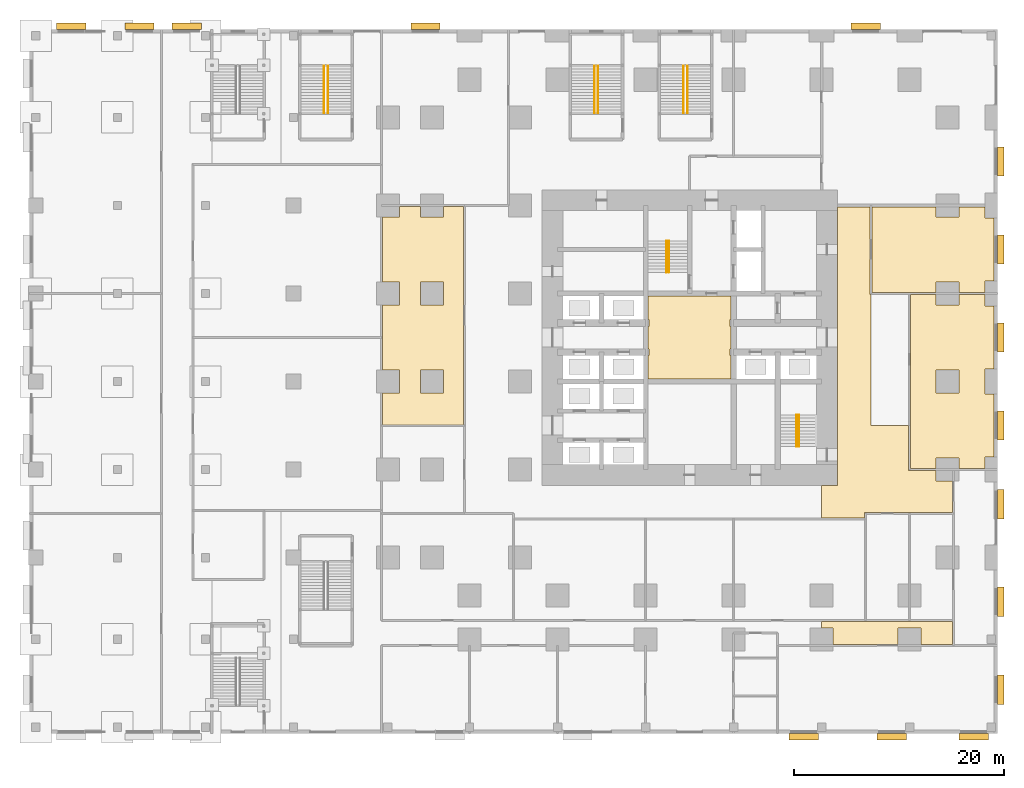
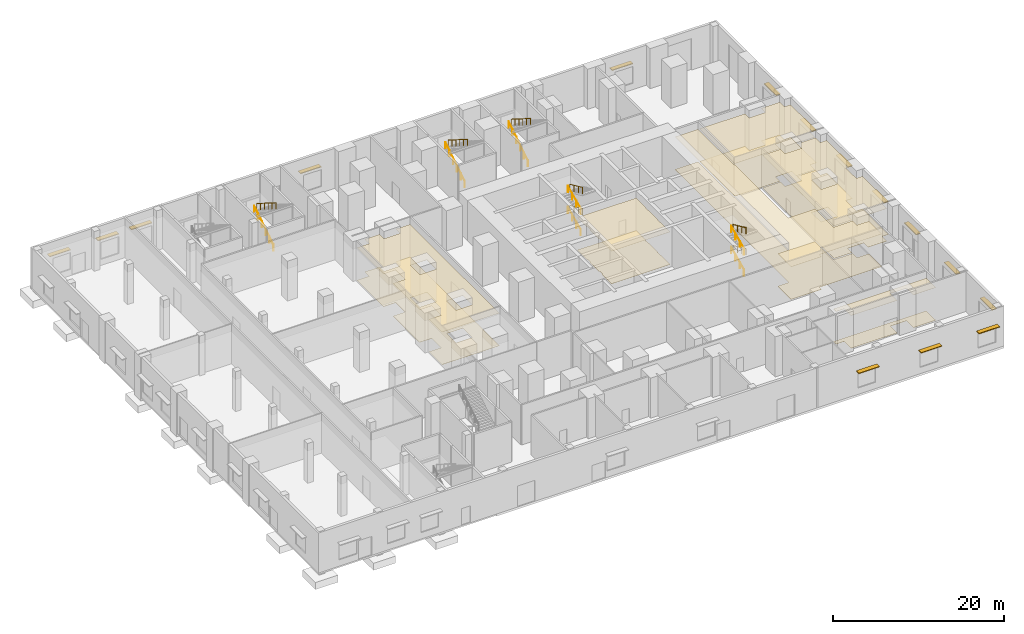
# One storey, part 25 of 26: 15 shading devices, 14 railings, 12 coverings.
"""IFC4 building model written with IfcOpenShell, lengths in metres."""

from ifc_helpers import new_model, si_unit, direction, frame, origin, origin_2d, place, context, subcontext, project, spatial, polyline, rectangle, circle, outline, extrude, material, layer, layer_set, type_object, element, save


model = new_model("IFC4")

# Units and contexts
model_context = context("Model", 3, precision=1e-05, world=origin(), true_north=direction((0.0, 1.0)))
body_context = subcontext(model_context, "Body", "Model", "MODEL_VIEW")
ifc_project = project(units=[si_unit("LENGTHUNIT", "METRE"), si_unit("AREAUNIT", "SQUARE_METRE"), si_unit("VOLUMEUNIT", "CUBIC_METRE"), si_unit("PLANEANGLEUNIT", "RADIAN"), si_unit("MASSUNIT", "GRAM", prefix="KILO")], contexts=[model_context])

# Site, building, storey
site_placement = place(None, origin())
site = spatial("IfcSite", under=ifc_project, at=site_placement, CompositionType="ELEMENT")
building_placement = place(site_placement, origin())
building = spatial("IfcBuilding", under=site, at=building_placement, Name="Dunama Terrace Hotel", CompositionType="ELEMENT")
storey_placement = place(building_placement, origin())
storey = spatial("IfcBuildingStorey", under=building, at=storey_placement, Name="L00", CompositionType="ELEMENT", Elevation=0.0)

# Railings
ifc_material_1 = material(Name="Stainless steel handrail", Category="steel")
railing_type = type_object("IfcRailingType", Name="Stair handrail 900", PredefinedType="HANDRAIL", material=ifc_material_1)
railing_1_placement = place(storey_placement, frame((27.175048828125, 35.625, 0.136474609375)))
element("IfcRailing", 1, at=railing_1_placement, inside=storey, type_object=railing_type, Name="Handrail ST1 L00", PredefinedType="HANDRAIL", context=body_context, shape_type="SweptSolid", body=[
    extrude(circle(Radius=0.02392578125, at=origin_2d()), frame((0.0, 0.0, 0.8759765625), z_axis=(0.0, 0.910379163139, 0.413775034678), x_axis=(-1.0, 0.0, 0.0)), (0.0, 0.0, 1.0), 3.29541015625),
    extrude(circle(Radius=0.02099609375, at=origin_2d()), origin(), (0.0, 0.0, 1.0), 0.851806640625),
    extrude(circle(Radius=0.02099609375, at=origin_2d()), frame((0.0, 1.0, 0.45458984375)), (0.0, 0.0, 1.0), 0.851806640625),
    extrude(circle(Radius=0.02099609375, at=origin_2d()), frame((0.0, 2.0, 0.908935546875)), (0.0, 0.0, 1.0), 0.851806640625),
    extrude(circle(Radius=0.02099609375, at=origin_2d()), frame((0.0, 3.0, 1.363525390625)), (0.0, 0.0, 1.0), 0.851806640625),
])
railing_2_placement = place(storey_placement, frame((27.425048828125, 38.625, 1.636474609375)))
element("IfcRailing", 2, at=railing_2_placement, inside=storey, type_object=railing_type, Name="Handrail ST1 L00", PredefinedType="HANDRAIL", context=body_context, shape_type="SweptSolid", body=[
    extrude(circle(Radius=0.02392578125, at=origin_2d()), frame((0.0, 0.0, 0.8759765625), z_axis=(0.0, -0.910379163139, 0.413775034678), x_axis=(1.0, 0.0, 0.0)), (0.0, 0.0, 1.0), 3.29541015625),
    extrude(circle(Radius=0.02099609375, at=origin_2d()), origin(), (0.0, 0.0, 1.0), 0.851806640625),
    extrude(circle(Radius=0.02099609375, at=origin_2d()), frame((0.0, -1.0, 0.45458984375)), (0.0, 0.0, 1.0), 0.851806640625),
    extrude(circle(Radius=0.02099609375, at=origin_2d()), frame((0.0, -2.0, 0.908935546875)), (0.0, 0.0, 1.0), 0.851806640625),
    extrude(circle(Radius=0.02099609375, at=origin_2d()), frame((0.0, -3.0, 1.363525390625)), (0.0, 0.0, 1.0), 0.851806640625),
])
railing_3_placement = place(storey_placement, frame((27.175048828125, 35.625, 3.136474609375)))
element("IfcRailing", 3, at=railing_3_placement, inside=storey, type_object=railing_type, Name="Handrail ST1 L00", PredefinedType="HANDRAIL", context=body_context, shape_type="SweptSolid", body=[
    extrude(circle(Radius=0.02392578125, at=origin_2d()), frame((0.0, 0.0, 0.8759765625), z_axis=(0.0, 0.910379163139, 0.413775034678), x_axis=(-1.0, 0.0, 0.0)), (0.0, 0.0, 1.0), 3.29541015625),
    extrude(circle(Radius=0.02099609375, at=origin_2d()), origin(), (0.0, 0.0, 1.0), 0.851806640625),
    extrude(circle(Radius=0.02099609375, at=origin_2d()), frame((0.0, 1.0, 0.45458984375)), (0.0, 0.0, 1.0), 0.851806640625),
    extrude(circle(Radius=0.02099609375, at=origin_2d()), frame((0.0, 2.0, 0.908935546875)), (0.0, 0.0, 1.0), 0.851806640625),
    extrude(circle(Radius=0.02099609375, at=origin_2d()), frame((0.0, 3.0, 1.363525390625)), (0.0, 0.0, 1.0), 0.851806640625),
])
railing_4_placement = place(storey_placement, frame((27.425048828125, 38.625, 4.636474609375)))
element("IfcRailing", 4, at=railing_4_placement, inside=storey, type_object=railing_type, Name="Handrail ST1 L00", PredefinedType="HANDRAIL", context=body_context, shape_type="SweptSolid", body=[
    extrude(circle(Radius=0.02392578125, at=origin_2d()), frame((0.0, 0.0, 0.8759765625), z_axis=(0.0, -0.910379163139, 0.413775034678), x_axis=(1.0, 0.0, 0.0)), (0.0, 0.0, 1.0), 3.29541015625),
    extrude(circle(Radius=0.02099609375, at=origin_2d()), origin(), (0.0, 0.0, 1.0), 0.851806640625),
    extrude(circle(Radius=0.02099609375, at=origin_2d()), frame((0.0, -1.0, 0.45458984375)), (0.0, 0.0, 1.0), 0.851806640625),
    extrude(circle(Radius=0.02099609375, at=origin_2d()), frame((0.0, -2.0, 0.908935546875)), (0.0, 0.0, 1.0), 0.851806640625),
    extrude(circle(Radius=0.02099609375, at=origin_2d()), frame((0.0, -3.0, 1.363525390625)), (0.0, 0.0, 1.0), 0.851806640625),
])
railing_5_placement = place(storey_placement, frame((39.60009765625, 19.0, 0.136474609375)))
element("IfcRailing", 5, at=railing_5_placement, inside=storey, type_object=railing_type, Name="Handrail ST2 L00", PredefinedType="HANDRAIL", context=body_context, shape_type="SweptSolid", body=[
    extrude(circle(Radius=0.02392578125, at=origin_2d()), frame((0.0, 0.0, 0.8759765625), z_axis=(0.0, 0.910379163139, 0.413775034678), x_axis=(-1.0, 0.0, 0.0)), (0.0, 0.0, 1.0), 3.29541015625),
    extrude(circle(Radius=0.02099609375, at=origin_2d()), origin(), (0.0, 0.0, 1.0), 0.851806640625),
    extrude(circle(Radius=0.02099609375, at=origin_2d()), frame((0.0, 1.0, 0.45458984375)), (0.0, 0.0, 1.0), 0.851806640625),
    extrude(circle(Radius=0.02099609375, at=origin_2d()), frame((0.0, 2.0, 0.908935546875)), (0.0, 0.0, 1.0), 0.851806640625),
    extrude(circle(Radius=0.02099609375, at=origin_2d()), frame((0.0, 3.0, 1.363525390625)), (0.0, 0.0, 1.0), 0.851806640625),
])
railing_6_placement = place(storey_placement, frame((39.85009765625, 22.0, 1.636474609375)))
element("IfcRailing", 6, at=railing_6_placement, inside=storey, type_object=railing_type, Name="Handrail ST2 L00", PredefinedType="HANDRAIL", context=body_context, shape_type="SweptSolid", body=[
    extrude(circle(Radius=0.02392578125, at=origin_2d()), frame((0.0, 0.0, 0.8759765625), z_axis=(0.0, -0.910379163139, 0.413775034678), x_axis=(1.0, 0.0, 0.0)), (0.0, 0.0, 1.0), 3.29541015625),
    extrude(circle(Radius=0.02099609375, at=origin_2d()), origin(), (0.0, 0.0, 1.0), 0.851806640625),
    extrude(circle(Radius=0.02099609375, at=origin_2d()), frame((0.0, -1.0, 0.45458984375)), (0.0, 0.0, 1.0), 0.851806640625),
    extrude(circle(Radius=0.02099609375, at=origin_2d()), frame((0.0, -2.0, 0.908935546875)), (0.0, 0.0, 1.0), 0.851806640625),
    extrude(circle(Radius=0.02099609375, at=origin_2d()), frame((0.0, -3.0, 1.363525390625)), (0.0, 0.0, 1.0), 0.851806640625),
])
railing_7_placement = place(storey_placement, frame((39.60009765625, 19.0, 3.136474609375)))
element("IfcRailing", 7, at=railing_7_placement, inside=storey, type_object=railing_type, Name="Handrail ST2 L00", PredefinedType="HANDRAIL", context=body_context, shape_type="SweptSolid", body=[
    extrude(circle(Radius=0.02392578125, at=origin_2d()), frame((0.0, 0.0, 0.8759765625), z_axis=(0.0, 0.910379163139, 0.413775034678), x_axis=(-1.0, 0.0, 0.0)), (0.0, 0.0, 1.0), 3.29541015625),
    extrude(circle(Radius=0.02099609375, at=origin_2d()), origin(), (0.0, 0.0, 1.0), 0.851806640625),
    extrude(circle(Radius=0.02099609375, at=origin_2d()), frame((0.0, 1.0, 0.45458984375)), (0.0, 0.0, 1.0), 0.851806640625),
    extrude(circle(Radius=0.02099609375, at=origin_2d()), frame((0.0, 2.0, 0.908935546875)), (0.0, 0.0, 1.0), 0.851806640625),
    extrude(circle(Radius=0.02099609375, at=origin_2d()), frame((0.0, 3.0, 1.363525390625)), (0.0, 0.0, 1.0), 0.851806640625),
])
railing_8_placement = place(storey_placement, frame((39.85009765625, 22.0, 4.636474609375)))
element("IfcRailing", 8, at=railing_8_placement, inside=storey, type_object=railing_type, Name="Handrail ST2 L00", PredefinedType="HANDRAIL", context=body_context, shape_type="SweptSolid", body=[
    extrude(circle(Radius=0.02392578125, at=origin_2d()), frame((0.0, 0.0, 0.8759765625), z_axis=(0.0, -0.910379163139, 0.413775034678), x_axis=(1.0, 0.0, 0.0)), (0.0, 0.0, 1.0), 3.29541015625),
    extrude(circle(Radius=0.02099609375, at=origin_2d()), origin(), (0.0, 0.0, 1.0), 0.851806640625),
    extrude(circle(Radius=0.02099609375, at=origin_2d()), frame((0.0, -1.0, 0.45458984375)), (0.0, 0.0, 1.0), 0.851806640625),
    extrude(circle(Radius=0.02099609375, at=origin_2d()), frame((0.0, -2.0, 0.908935546875)), (0.0, 0.0, 1.0), 0.851806640625),
    extrude(circle(Radius=0.02099609375, at=origin_2d()), frame((0.0, -3.0, 1.363525390625)), (0.0, 0.0, 1.0), 0.851806640625),
])
railing_9_placement = place(storey_placement, frame((-5.47509765625, 50.824951171875, 0.176513671875)))
element("IfcRailing", 9, at=railing_9_placement, inside=storey, type_object=railing_type, Name="Handrail P3 L00", PredefinedType="HANDRAIL", context=body_context, shape_type="SweptSolid", body=[
    extrude(circle(Radius=0.02392578125, at=origin_2d()), frame((0.0, 0.0, 0.8759765625), z_axis=(0.0, 0.845997938375, 0.533186166611), x_axis=(-1.0, 0.0, 0.0)), (0.0, 0.0, 1.0), 5.29541015625),
    extrude(circle(Radius=0.02099609375, at=origin_2d()), origin(), (0.0, 0.0, 1.0), 0.851806640625),
    extrude(circle(Radius=0.02099609375, at=origin_2d()), frame((0.0, 0.89599609375, 0.564697265625)), (0.0, 0.0, 1.0), 0.851806640625),
    extrude(circle(Radius=0.02099609375, at=origin_2d()), frame((0.0, 1.7919921875, 1.12939453125)), (0.0, 0.0, 1.0), 0.851806640625),
    extrude(circle(Radius=0.02099609375, at=origin_2d()), frame((0.0, 2.68798828125, 1.694091796875)), (0.0, 0.0, 1.0), 0.851806640625),
    extrude(circle(Radius=0.02099609375, at=origin_2d()), frame((0.0, 3.583984375, 2.2587890625)), (0.0, 0.0, 1.0), 0.851806640625),
    extrude(circle(Radius=0.02099609375, at=origin_2d()), frame((0.0, 4.47998046875, 2.823486328125)), (0.0, 0.0, 1.0), 0.851806640625),
])
railing_10_placement = place(storey_placement, frame((-5.125, 55.304931640625, 3.176513671875)))
element("IfcRailing", 10, at=railing_10_placement, inside=storey, type_object=railing_type, Name="Handrail P3 L00", PredefinedType="HANDRAIL", context=body_context, shape_type="SweptSolid", body=[
    extrude(circle(Radius=0.02392578125, at=origin_2d()), frame((0.0, 0.0, 0.8759765625), z_axis=(0.0, -0.845997938375, 0.533186166611), x_axis=(1.0, 0.0, 0.0)), (0.0, 0.0, 1.0), 5.29541015625),
    extrude(circle(Radius=0.02099609375, at=origin_2d()), origin(), (0.0, 0.0, 1.0), 0.851806640625),
    extrude(circle(Radius=0.02099609375, at=origin_2d()), frame((0.0, -0.89599609375, 0.564697265625)), (0.0, 0.0, 1.0), 0.851806640625),
    extrude(circle(Radius=0.02099609375, at=origin_2d()), frame((0.0, -1.7919921875, 1.12939453125)), (0.0, 0.0, 1.0), 0.851806640625),
    extrude(circle(Radius=0.02099609375, at=origin_2d()), frame((0.0, -2.68798828125, 1.694091796875)), (0.0, 0.0, 1.0), 0.851806640625),
    extrude(circle(Radius=0.02099609375, at=origin_2d()), frame((0.0, -3.583984375, 2.2587890625)), (0.0, 0.0, 1.0), 0.851806640625),
    extrude(circle(Radius=0.02099609375, at=origin_2d()), frame((0.0, -4.47998046875, 2.823486328125)), (0.0, 0.0, 1.0), 0.851806640625),
])
railing_11_placement = place(storey_placement, frame((20.324951171875, 50.824951171875, 0.176513671875)))
element("IfcRailing", 11, at=railing_11_placement, inside=storey, type_object=railing_type, Name="Handrail P5 L00", PredefinedType="HANDRAIL", context=body_context, shape_type="SweptSolid", body=[
    extrude(circle(Radius=0.02392578125, at=origin_2d()), frame((0.0, 0.0, 0.8759765625), z_axis=(0.0, 0.845997938375, 0.533186166611), x_axis=(-1.0, 0.0, 0.0)), (0.0, 0.0, 1.0), 5.29541015625),
    extrude(circle(Radius=0.02099609375, at=origin_2d()), origin(), (0.0, 0.0, 1.0), 0.851806640625),
    extrude(circle(Radius=0.02099609375, at=origin_2d()), frame((0.0, 0.89599609375, 0.564697265625)), (0.0, 0.0, 1.0), 0.851806640625),
    extrude(circle(Radius=0.02099609375, at=origin_2d()), frame((0.0, 1.7919921875, 1.12939453125)), (0.0, 0.0, 1.0), 0.851806640625),
    extrude(circle(Radius=0.02099609375, at=origin_2d()), frame((0.0, 2.68798828125, 1.694091796875)), (0.0, 0.0, 1.0), 0.851806640625),
    extrude(circle(Radius=0.02099609375, at=origin_2d()), frame((0.0, 3.583984375, 2.2587890625)), (0.0, 0.0, 1.0), 0.851806640625),
    extrude(circle(Radius=0.02099609375, at=origin_2d()), frame((0.0, 4.47998046875, 2.823486328125)), (0.0, 0.0, 1.0), 0.851806640625),
])
railing_12_placement = place(storey_placement, frame((20.675048828125, 55.304931640625, 3.176513671875)))
element("IfcRailing", 12, at=railing_12_placement, inside=storey, type_object=railing_type, Name="Handrail P5 L00", PredefinedType="HANDRAIL", context=body_context, shape_type="SweptSolid", body=[
    extrude(circle(Radius=0.02392578125, at=origin_2d()), frame((0.0, 0.0, 0.8759765625), z_axis=(0.0, -0.845997938375, 0.533186166611), x_axis=(1.0, 0.0, 0.0)), (0.0, 0.0, 1.0), 5.29541015625),
    extrude(circle(Radius=0.02099609375, at=origin_2d()), origin(), (0.0, 0.0, 1.0), 0.851806640625),
    extrude(circle(Radius=0.02099609375, at=origin_2d()), frame((0.0, -0.89599609375, 0.564697265625)), (0.0, 0.0, 1.0), 0.851806640625),
    extrude(circle(Radius=0.02099609375, at=origin_2d()), frame((0.0, -1.7919921875, 1.12939453125)), (0.0, 0.0, 1.0), 0.851806640625),
    extrude(circle(Radius=0.02099609375, at=origin_2d()), frame((0.0, -2.68798828125, 1.694091796875)), (0.0, 0.0, 1.0), 0.851806640625),
    extrude(circle(Radius=0.02099609375, at=origin_2d()), frame((0.0, -3.583984375, 2.2587890625)), (0.0, 0.0, 1.0), 0.851806640625),
    extrude(circle(Radius=0.02099609375, at=origin_2d()), frame((0.0, -4.47998046875, 2.823486328125)), (0.0, 0.0, 1.0), 0.851806640625),
])
railing_13_placement = place(storey_placement, frame((28.824951171875, 50.824951171875, 0.176513671875)))
element("IfcRailing", 13, at=railing_13_placement, inside=storey, type_object=railing_type, Name="Handrail P6 L00", PredefinedType="HANDRAIL", context=body_context, shape_type="SweptSolid", body=[
    extrude(circle(Radius=0.02392578125, at=origin_2d()), frame((0.0, 0.0, 0.8759765625), z_axis=(0.0, 0.845997938375, 0.533186166611), x_axis=(-1.0, 0.0, 0.0)), (0.0, 0.0, 1.0), 5.29541015625),
    extrude(circle(Radius=0.02099609375, at=origin_2d()), origin(), (0.0, 0.0, 1.0), 0.851806640625),
    extrude(circle(Radius=0.02099609375, at=origin_2d()), frame((0.0, 0.89599609375, 0.564697265625)), (0.0, 0.0, 1.0), 0.851806640625),
    extrude(circle(Radius=0.02099609375, at=origin_2d()), frame((0.0, 1.7919921875, 1.12939453125)), (0.0, 0.0, 1.0), 0.851806640625),
    extrude(circle(Radius=0.02099609375, at=origin_2d()), frame((0.0, 2.68798828125, 1.694091796875)), (0.0, 0.0, 1.0), 0.851806640625),
    extrude(circle(Radius=0.02099609375, at=origin_2d()), frame((0.0, 3.583984375, 2.2587890625)), (0.0, 0.0, 1.0), 0.851806640625),
    extrude(circle(Radius=0.02099609375, at=origin_2d()), frame((0.0, 4.47998046875, 2.823486328125)), (0.0, 0.0, 1.0), 0.851806640625),
])
railing_14_placement = place(storey_placement, frame((29.175048828125, 55.304931640625, 3.176513671875)))
element("IfcRailing", 14, at=railing_14_placement, inside=storey, type_object=railing_type, Name="Handrail P6 L00", PredefinedType="HANDRAIL", context=body_context, shape_type="SweptSolid", body=[
    extrude(circle(Radius=0.02392578125, at=origin_2d()), frame((0.0, 0.0, 0.8759765625), z_axis=(0.0, -0.845997938375, 0.533186166611), x_axis=(1.0, 0.0, 0.0)), (0.0, 0.0, 1.0), 5.29541015625),
    extrude(circle(Radius=0.02099609375, at=origin_2d()), origin(), (0.0, 0.0, 1.0), 0.851806640625),
    extrude(circle(Radius=0.02099609375, at=origin_2d()), frame((0.0, -0.89599609375, 0.564697265625)), (0.0, 0.0, 1.0), 0.851806640625),
    extrude(circle(Radius=0.02099609375, at=origin_2d()), frame((0.0, -1.7919921875, 1.12939453125)), (0.0, 0.0, 1.0), 0.851806640625),
    extrude(circle(Radius=0.02099609375, at=origin_2d()), frame((0.0, -2.68798828125, 1.694091796875)), (0.0, 0.0, 1.0), 0.851806640625),
    extrude(circle(Radius=0.02099609375, at=origin_2d()), frame((0.0, -3.583984375, 2.2587890625)), (0.0, 0.0, 1.0), 0.851806640625),
    extrude(circle(Radius=0.02099609375, at=origin_2d()), frame((0.0, -4.47998046875, 2.823486328125)), (0.0, 0.0, 1.0), 0.851806640625),
])

# Coverings
ifc_material_2 = material(Name="Natural stone floor tiles", Category="masonry")
ifc_layer_1 = layer(ifc_material_2, 0.030029296875)
ifc_layer_set_1 = layer_set([ifc_layer_1], Name="Stone floor finish 30")
covering_type_1 = type_object("IfcCoveringType", Name="Stone floor finish 30", PredefinedType="FLOORING", material=ifc_layer_set_1)
covering_1_placement = place(storey_placement, origin())
element("IfcCovering", 15, at=covering_1_placement, inside=storey, type_object=covering_type_1, Name="Floor finish L00-05", PredefinedType="FLOORING", context=body_context, shape_type="SweptSolid", body=[
    extrude(outline(polyline([(29.625, 33.375), (29.175048828125, 33.375), (25.425048828125, 33.375), (25.425048828125, 31.125), (25.52490234375, 31.125), (25.52490234375, 30.47509765625), (25.425048828125, 30.47509765625), (25.425048828125, 28.324951171875), (25.52490234375, 28.324951171875), (25.52490234375, 27.675048828125), (25.425048828125, 27.675048828125), (25.425048828125, 25.425048828125), (33.35009765625, 25.425048828125), (33.35009765625, 27.675048828125), (33.27490234375, 27.675048828125), (33.27490234375, 28.324951171875), (33.35009765625, 28.324951171875), (33.35009765625, 30.47509765625), (33.27490234375, 30.47509765625), (33.27490234375, 31.125), (33.35009765625, 31.125), (33.35009765625, 33.375), (29.625, 33.375)])), origin(), (0.0, 0.0, 1.0), 0.030029296875),
])
covering_2_placement = place(storey_placement, origin())
element("IfcCovering", 16, at=covering_2_placement, inside=storey, type_object=covering_type_1, Name="Floor finish L00-33", PredefinedType="FLOORING", context=body_context, shape_type="SweptSolid", body=[
    extrude(outline(polyline([(52.89990234375, 17.89990234375), (55.10009765625, 17.89990234375), (55.10009765625, 16.89990234375), (57.60009765625, 16.89990234375), (57.60009765625, 18.0), (58.449951171875, 18.0), (58.449951171875, 24.0), (57.60009765625, 24.0), (57.60009765625, 26.39990234375), (58.449951171875, 26.39990234375), (58.449951171875, 32.39990234375), (57.60009765625, 32.39990234375), (57.60009765625, 33.52490234375), (55.10009765625, 33.52490234375), (55.10009765625, 32.5), (52.89990234375, 32.5), (52.89990234375, 33.52490234375), (50.47509765625, 33.52490234375), (50.47509765625, 21.10009765625), (50.5, 21.10009765625), (50.5, 16.89990234375), (52.89990234375, 16.89990234375), (52.89990234375, 17.89990234375)]), holes=[polyline([(55.10009765625, 26.300048828125), (55.10009765625, 24.10009765625), (52.89990234375, 24.10009765625), (52.89990234375, 26.300048828125), (55.10009765625, 26.300048828125)])]), origin(), (0.0, 0.0, 1.0), 0.030029296875),
])
covering_3_placement = place(storey_placement, origin())
element("IfcCovering", 17, at=covering_3_placement, inside=storey, type_object=covering_type_1, Name="Floor finish L00-34", PredefinedType="FLOORING", context=body_context, shape_type="SweptSolid", body=[
    extrude(outline(polyline([(52.89990234375, 33.675048828125), (52.89990234375, 34.699951171875), (55.10009765625, 34.699951171875), (55.10009765625, 33.675048828125), (57.60009765625, 33.675048828125), (57.60009765625, 34.800048828125), (58.449951171875, 34.800048828125), (58.449951171875, 40.800048828125), (57.60009765625, 40.800048828125), (57.60009765625, 41.875), (55.10009765625, 41.875), (55.10009765625, 40.89990234375), (52.89990234375, 40.89990234375), (52.89990234375, 41.875), (46.800048828125, 41.875), (46.800048828125, 33.675048828125), (50.324951171875, 33.675048828125), (50.47509765625, 33.675048828125), (52.89990234375, 33.675048828125)])), origin(), (0.0, 0.0, 1.0), 0.030029296875),
])
covering_4_placement = place(storey_placement, origin())
element("IfcCovering", 18, at=covering_4_placement, inside=storey, type_object=covering_type_1, Name="Floor finish L00-44", PredefinedType="FLOORING", context=body_context, shape_type="SweptSolid", body=[
    extrude(outline(polyline([(1.699951171875, 41.925048828125), (1.699951171875, 40.89990234375), (0.074951171875, 40.89990234375), (0.074951171875, 34.699951171875), (1.699951171875, 34.699951171875), (1.699951171875, 32.5), (0.074951171875, 32.5), (0.074951171875, 29.47509765625), (0.074951171875, 29.324951171875), (0.074951171875, 26.300048828125), (1.699951171875, 26.300048828125), (1.699951171875, 24.10009765625), (0.074951171875, 24.10009765625), (0.074951171875, 21.074951171875), (7.800048828125, 21.074951171875), (7.800048828125, 21.10009765625), (7.800048828125, 41.89990234375), (7.800048828125, 41.925048828125), (5.89990234375, 41.925048828125), (5.89990234375, 40.89990234375), (3.699951171875, 40.89990234375), (3.699951171875, 41.925048828125), (1.699951171875, 41.925048828125)]), holes=[polyline([(5.89990234375, 26.300048828125), (5.89990234375, 24.10009765625), (3.699951171875, 24.10009765625), (3.699951171875, 26.300048828125), (5.89990234375, 26.300048828125)]), polyline([(5.89990234375, 34.699951171875), (5.89990234375, 32.5), (3.699951171875, 32.5), (3.699951171875, 34.699951171875), (5.89990234375, 34.699951171875)])]), origin(), (0.0, 0.0, 1.0), 0.030029296875),
])
covering_5_placement = place(storey_placement, origin())
element("IfcCovering", 19, at=covering_5_placement, inside=storey, type_object=covering_type_1, Name="Floor finish L00-52", PredefinedType="FLOORING", context=body_context, shape_type="SweptSolid", body=[
    extrude(outline(polyline([(46.699951171875, 21.0), (46.699951171875, 33.5), (46.60009765625, 33.5), (46.60009765625, 41.875), (43.5, 41.875), (43.5, 41.5), (43.5, 17.300048828125), (43.5, 16.300048828125), (43.5, 15.300048828125), (42.0, 15.300048828125), (42.0, 12.199951171875), (46.10009765625, 12.199951171875), (46.10009765625, 12.5), (46.10009765625, 12.60009765625), (46.10009765625, 12.699951171875), (46.300048828125, 12.699951171875), (54.5, 12.699951171875), (54.5, 15.699951171875), (52.89990234375, 15.699951171875), (52.89990234375, 16.699951171875), (50.5, 16.699951171875), (50.39990234375, 16.699951171875), (50.300048828125, 16.699951171875), (50.300048828125, 16.89990234375), (50.300048828125, 21.0), (46.699951171875, 21.0)])), origin(), (0.0, 0.0, 1.0), 0.030029296875),
])
covering_6_placement = place(storey_placement, origin())
element("IfcCovering", 20, at=covering_6_placement, inside=storey, type_object=covering_type_1, Name="Floor finish L00-53", PredefinedType="FLOORING", context=body_context, shape_type="SweptSolid", body=[
    extrude(outline(polyline([(42.0, 2.300048828125), (42.0, 1.699951171875), (43.10009765625, 1.699951171875), (43.10009765625, 0.10009765625), (49.300048828125, 0.10009765625), (49.300048828125, 1.699951171875), (51.5, 1.699951171875), (51.5, 0.10009765625), (54.5, 0.10009765625), (54.5, 2.300048828125), (42.0, 2.300048828125)])), origin(), (0.0, 0.0, 1.0), 0.030029296875),
])

# Shading devices
ifc_material_3 = material(Name="Precast stone sunshade", Category="masonry")
ifc_layer_2 = layer(ifc_material_3, 0.10009765625)
ifc_layer_set_2 = layer_set([ifc_layer_2], Name="Stone sunshade 600")
shading_device_type = type_object("IfcShadingDeviceType", Name="Stone sunshade 600", PredefinedType="USERDEFINED", material=ifc_layer_set_2)
for number, where, z_axis, x_axis, name in (
    (21, (40.300048828125, -8.699951171875, 3.349853515625), (0.0, 0.0, 1.0), (1.0, 0.0, 0.0), "Sunshade L00"),
    (22, (48.699951171875, -8.699951171875, 3.349853515625), (0.0, 0.0, 1.0), (1.0, 0.0, 0.0), "Sunshade L00"),
    (23, (56.5, -8.699951171875, 3.349853515625), (0.0, 0.0, 1.0), (1.0, 0.0, 0.0), "Sunshade L00"),
    (24, (59.10009765625, -4.199951171875, 3.349853515625), (0.0, 0.0, 1.0), (0.0, 1.0, 0.0), "Sunshade L00"),
    (25, (59.10009765625, 4.199951171875, 3.349853515625), (0.0, 0.0, 1.0), (0.0, 1.0, 0.0), "Sunshade L00"),
    (26, (59.10009765625, 13.5, 3.349853515625), (0.0, 0.0, 1.0), (0.0, 1.0, 0.0), "Sunshade L00"),
    (27, (59.10009765625, 21.0, 3.349853515625), (0.0, 0.0, 1.0), (0.0, 1.0, 0.0), "Sunshade L00"),
    (28, (59.10009765625, 29.39990234375, 3.349853515625), (0.0, 0.0, 1.0), (0.0, 1.0, 0.0), "Sunshade L00"),
    (29, (59.10009765625, 37.800048828125, 3.349853515625), (0.0, 0.0, 1.0), (0.0, 1.0, 0.0), "Sunshade L00"),
    (30, (59.10009765625, 46.199951171875, 3.349853515625), (0.0, 0.0, 1.0), (0.0, 1.0, 0.0), "Sunshade L00"),
    (31, (-29.60009765625, 59.10009765625, 3.349853515625), (0.0, 0.0, 1.0), (-1.0, 0.0, 0.0), "Sunshade L00"),
    (32, (-23.10009765625, 59.10009765625, 3.349853515625), (0.0, 0.0, 1.0), (-1.0, 0.0, 0.0), "Sunshade L00"),
    (33, (-18.60009765625, 59.10009765625, 3.349853515625), (0.0, 0.0, 1.0), (-1.0, 0.0, 0.0), "Sunshade L00"),
    (34, (4.199951171875, 59.10009765625, 3.349853515625), (0.0, 0.0, 1.0), (-1.0, 0.0, 0.0), "Sunshade L00"),
    (35, (46.199951171875, 59.10009765625, 3.349853515625), (0.0, 0.0, 1.0), (-1.0, 0.0, 0.0), "Sunshade L00"),
):
    element("IfcShadingDevice", number, at=place(storey_placement, frame(where, z_axis=z_axis, x_axis=x_axis)), inside=storey, type_object=shading_device_type, Name=name, ObjectType="SUNSHADE", PredefinedType="USERDEFINED", context=body_context, shape_type="SweptSolid", body=[
        extrude(rectangle(XDim=2.800048828125, YDim=0.60009765625, at=origin_2d()), origin(), (0.0, 0.0, 1.0), 0.10009765625),
    ])

# Coverings
ifc_material_4 = material(Name="Gypsum plasterboard ceiling")
ifc_layer_3 = layer(ifc_material_4, 0.02001953125)
ifc_layer_set_3 = layer_set([ifc_layer_3], Name="Suspended ceiling 20")
covering_type_2 = type_object("IfcCoveringType", Name="Suspended ceiling 20", PredefinedType="CEILING", material=ifc_layer_set_3)
covering_7_placement = place(storey_placement, frame((0.0, 0.0, 4.64990234375)))
element("IfcCovering", 36, at=covering_7_placement, inside=storey, type_object=covering_type_2, Name="Ceiling L00-05", PredefinedType="CEILING", context=body_context, shape_type="SweptSolid", body=[
    extrude(outline(polyline([(33.35009765625, 33.375), (29.625, 33.375), (29.175048828125, 33.375), (25.425048828125, 33.375), (25.425048828125, 31.125), (25.52490234375, 31.125), (25.52490234375, 30.47509765625), (25.425048828125, 30.47509765625), (25.425048828125, 28.324951171875), (25.52490234375, 28.324951171875), (25.52490234375, 27.675048828125), (25.425048828125, 27.675048828125), (25.425048828125, 25.425048828125), (33.35009765625, 25.425048828125), (33.35009765625, 27.675048828125), (33.27490234375, 27.675048828125), (33.27490234375, 28.324951171875), (33.35009765625, 28.324951171875), (33.35009765625, 30.47509765625), (33.27490234375, 30.47509765625), (33.27490234375, 31.125), (33.35009765625, 31.125), (33.35009765625, 33.375)])), origin(), (0.0, 0.0, 1.0), 0.02001953125),
])
covering_8_placement = place(storey_placement, frame((0.0, 0.0, 4.64990234375)))
element("IfcCovering", 37, at=covering_8_placement, inside=storey, type_object=covering_type_2, Name="Ceiling L00-33", PredefinedType="CEILING", context=body_context, shape_type="SweptSolid", body=[
    extrude(outline(polyline([(52.89990234375, 16.89990234375), (52.89990234375, 17.89990234375), (55.10009765625, 17.89990234375), (55.10009765625, 16.89990234375), (57.60009765625, 16.89990234375), (57.60009765625, 18.0), (58.449951171875, 18.0), (58.449951171875, 24.0), (57.60009765625, 24.0), (57.60009765625, 26.39990234375), (58.449951171875, 26.39990234375), (58.449951171875, 32.39990234375), (57.60009765625, 32.39990234375), (57.60009765625, 33.52490234375), (55.10009765625, 33.52490234375), (55.10009765625, 32.5), (52.89990234375, 32.5), (52.89990234375, 33.52490234375), (50.47509765625, 33.52490234375), (50.47509765625, 21.10009765625), (50.5, 21.10009765625), (50.5, 16.89990234375), (52.89990234375, 16.89990234375)]), holes=[polyline([(52.89990234375, 26.300048828125), (55.10009765625, 26.300048828125), (55.10009765625, 24.10009765625), (52.89990234375, 24.10009765625), (52.89990234375, 26.300048828125)])]), origin(), (0.0, 0.0, 1.0), 0.02001953125),
])
covering_9_placement = place(storey_placement, frame((0.0, 0.0, 4.64990234375)))
element("IfcCovering", 38, at=covering_9_placement, inside=storey, type_object=covering_type_2, Name="Ceiling L00-34", PredefinedType="CEILING", context=body_context, shape_type="SweptSolid", body=[
    extrude(outline(polyline([(50.47509765625, 33.675048828125), (52.89990234375, 33.675048828125), (52.89990234375, 34.699951171875), (55.10009765625, 34.699951171875), (55.10009765625, 33.675048828125), (57.60009765625, 33.675048828125), (57.60009765625, 34.800048828125), (58.449951171875, 34.800048828125), (58.449951171875, 40.800048828125), (57.60009765625, 40.800048828125), (57.60009765625, 41.875), (55.10009765625, 41.875), (55.10009765625, 40.89990234375), (52.89990234375, 40.89990234375), (52.89990234375, 41.875), (46.800048828125, 41.875), (46.800048828125, 33.675048828125), (50.324951171875, 33.675048828125), (50.47509765625, 33.675048828125)])), origin(), (0.0, 0.0, 1.0), 0.02001953125),
])
covering_10_placement = place(storey_placement, frame((0.0, 0.0, 4.64990234375)))
element("IfcCovering", 39, at=covering_10_placement, inside=storey, type_object=covering_type_2, Name="Ceiling L00-44", PredefinedType="CEILING", context=body_context, shape_type="SweptSolid", body=[
    extrude(outline(polyline([(3.699951171875, 41.925048828125), (1.699951171875, 41.925048828125), (1.699951171875, 40.89990234375), (0.074951171875, 40.89990234375), (0.074951171875, 34.699951171875), (1.699951171875, 34.699951171875), (1.699951171875, 32.5), (0.074951171875, 32.5), (0.074951171875, 29.47509765625), (0.074951171875, 29.324951171875), (0.074951171875, 26.300048828125), (1.699951171875, 26.300048828125), (1.699951171875, 24.10009765625), (0.074951171875, 24.10009765625), (0.074951171875, 21.074951171875), (7.800048828125, 21.074951171875), (7.800048828125, 21.10009765625), (7.800048828125, 41.89990234375), (7.800048828125, 41.925048828125), (5.89990234375, 41.925048828125), (5.89990234375, 40.89990234375), (3.699951171875, 40.89990234375), (3.699951171875, 41.925048828125)]), holes=[polyline([(3.699951171875, 26.300048828125), (5.89990234375, 26.300048828125), (5.89990234375, 24.10009765625), (3.699951171875, 24.10009765625), (3.699951171875, 26.300048828125)]), polyline([(3.699951171875, 34.699951171875), (5.89990234375, 34.699951171875), (5.89990234375, 32.5), (3.699951171875, 32.5), (3.699951171875, 34.699951171875)])]), origin(), (0.0, 0.0, 1.0), 0.02001953125),
])
covering_11_placement = place(storey_placement, frame((0.0, 0.0, 4.64990234375)))
element("IfcCovering", 40, at=covering_11_placement, inside=storey, type_object=covering_type_2, Name="Ceiling L00-52", PredefinedType="CEILING", context=body_context, shape_type="SweptSolid", body=[
    extrude(outline(polyline([(50.300048828125, 21.0), (46.699951171875, 21.0), (46.699951171875, 33.5), (46.60009765625, 33.5), (46.60009765625, 41.875), (43.5, 41.875), (43.5, 41.5), (43.5, 17.300048828125), (43.5, 16.300048828125), (43.5, 15.300048828125), (42.0, 15.300048828125), (42.0, 12.199951171875), (46.10009765625, 12.199951171875), (46.10009765625, 12.5), (46.10009765625, 12.60009765625), (46.10009765625, 12.699951171875), (46.300048828125, 12.699951171875), (54.5, 12.699951171875), (54.5, 15.699951171875), (52.89990234375, 15.699951171875), (52.89990234375, 16.699951171875), (50.5, 16.699951171875), (50.39990234375, 16.699951171875), (50.300048828125, 16.699951171875), (50.300048828125, 16.89990234375), (50.300048828125, 21.0)])), origin(), (0.0, 0.0, 1.0), 0.02001953125),
])
covering_12_placement = place(storey_placement, frame((0.0, 0.0, 4.64990234375)))
element("IfcCovering", 41, at=covering_12_placement, inside=storey, type_object=covering_type_2, Name="Ceiling L00-53", PredefinedType="CEILING", context=body_context, shape_type="SweptSolid", body=[
    extrude(outline(polyline([(54.5, 2.300048828125), (42.0, 2.300048828125), (42.0, 1.699951171875), (43.10009765625, 1.699951171875), (43.10009765625, 0.10009765625), (49.300048828125, 0.10009765625), (49.300048828125, 1.699951171875), (51.5, 1.699951171875), (51.5, 0.10009765625), (54.5, 0.10009765625), (54.5, 2.300048828125)])), origin(), (0.0, 0.0, 1.0), 0.02001953125),
])

save(model, "model.ifc")
